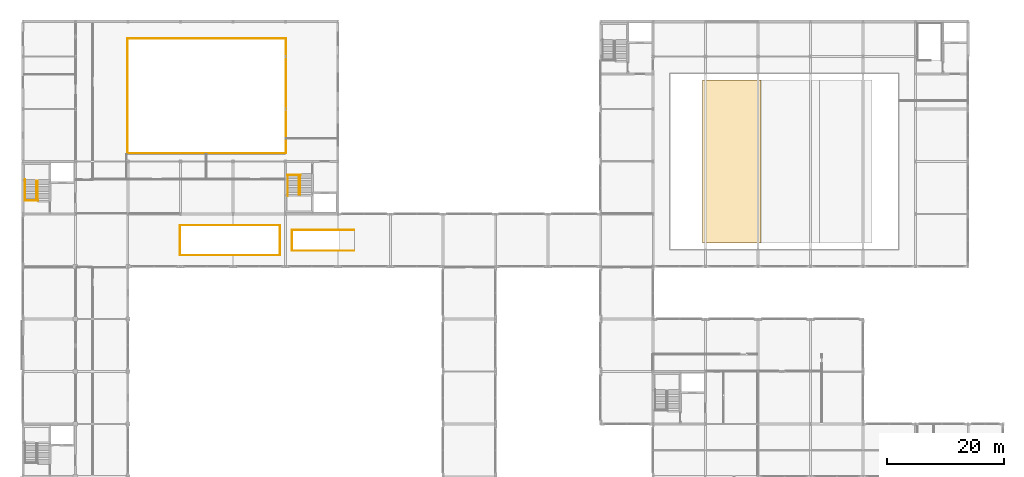
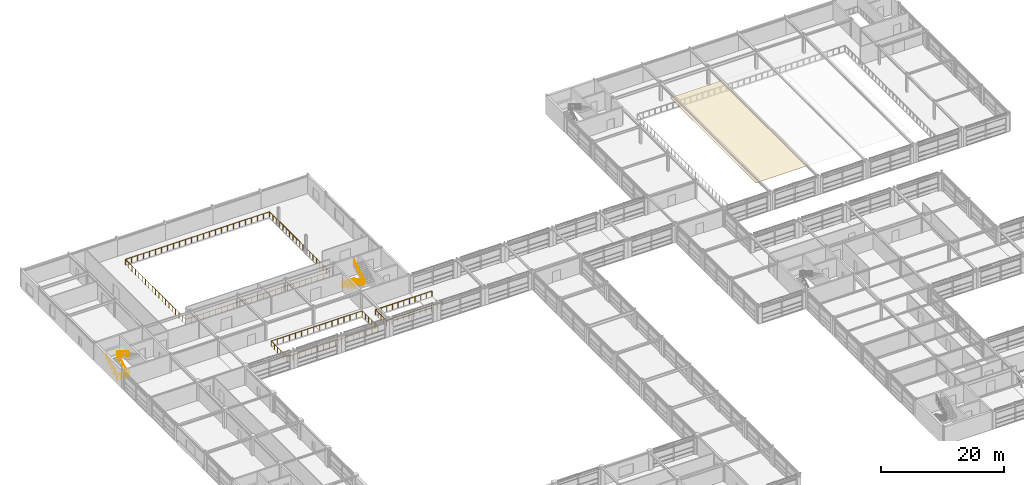
# One storey, part 78 of 79: 9 railings, 1 covering.
"""IFC4 building model written with IfcOpenShell, lengths in metres."""

import ifcopenshell
import ifcopenshell.guid

model = None  # the IFC model being written
_history = None  # IfcOwnerHistory: only IFC2X3 demands one
_inside = {}  # id of a spatial element -> (the spatial element, [elements in it])
_under = {}  # id of a project, library or spatial element -> (it, [spatial elements below it])
_declared = {}  # id of a project -> (the project, [libraries it declares])
_typed = {}  # id of a type object -> (the type object, [elements of that type])
_made_of = {}  # id of a material, layer set ... -> (it, [elements and type objects made of it])


def new_model(schema):
    """Start an empty IFC model of exactly this schema.

    Asked for "IFC4X3", IfcOpenShell would pick the latest addendum, in which some entities
    have other attributes; the version numbers below select the first issue.
    IFC2X3 requires an IfcOwnerHistory on every rooted entity: one is made here for all.
    """
    global model, _history
    if schema == "IFC4X3":
        model = ifcopenshell.file(schema_version=(4, 3, 0, 0))
    else:
        model = ifcopenshell.file(schema=schema)
    _inside.clear()
    _under.clear()
    _declared.clear()
    _typed.clear()
    _made_of.clear()
    _history = None
    if model.schema == "IFC2X3":
        org = make("IfcOrganization", Name="unknown")
        user = make(
            "IfcPersonAndOrganization",
            ThePerson=make("IfcPerson", FamilyName="unknown"),
            TheOrganization=org,
        )
        app = make(
            "IfcApplication",
            ApplicationDeveloper=org,
            Version="unknown",
            ApplicationFullName="unknown",
            ApplicationIdentifier="unknown",
        )
        _history = make(
            "IfcOwnerHistory",
            OwningUser=user,
            OwningApplication=app,
            ChangeAction="ADDED",
            CreationDate=0,
        )
    return model


def make(cls, **values):
    """One entity of the class cls with the attributes given. An attribute that is None is left unset."""
    return model.create_entity(
        cls, **{name: value for name, value in values.items() if value is not None}
    )


def rooted(cls, **values):
    """An entity with a GlobalId (a new one), such as an element, a storey or a relation."""
    return make(cls, GlobalId=ifcopenshell.guid.new(), OwnerHistory=_history, **values)


def si_unit(unit_type, name, prefix=None):
    """IfcSIUnit, for example si_unit("LENGTHUNIT", "METRE", prefix="MILLI")."""
    return make("IfcSIUnit", UnitType=unit_type, Prefix=prefix, Name=name)


def assignment(units):
    """IfcUnitAssignment: the units of a project."""
    return None if units is None else make("IfcUnitAssignment", Units=units)


def point(xyz):
    """IfcCartesianPoint."""
    return None if xyz is None else make("IfcCartesianPoint", Coordinates=xyz)


def direction(xyz):
    """IfcDirection."""
    return None if xyz is None else make("IfcDirection", DirectionRatios=xyz)


def frame(location, z_axis=None, x_axis=None):
    """IfcAxis2Placement3D, a coordinate frame: its origin and axes. An axis left out is left unset."""
    return make(
        "IfcAxis2Placement3D",
        Location=point(location),
        Axis=direction(z_axis),
        RefDirection=direction(x_axis),
    )


def frame_2d(location, x_axis=None):
    """IfcAxis2Placement2D, a coordinate frame in the plane: its origin and x axis."""
    return make(
        "IfcAxis2Placement2D", Location=point(location), RefDirection=direction(x_axis)
    )


def origin():
    """The frame at (0, 0, 0) with its axes left unset."""
    return frame((0.0, 0.0, 0.0))


def origin_2d():
    """The frame at (0, 0) in the plane with its x axis left unset."""
    return frame_2d((0.0, 0.0))


def place(relative_to, where):
    """IfcLocalPlacement: puts the frame where relative to a parent placement (None: the world)."""
    return make(
        "IfcLocalPlacement", PlacementRelTo=relative_to, RelativePlacement=where
    )


def context(
    kind, dimensions, precision=None, world=None, true_north=None, identifier=None
):
    """IfcGeometricRepresentationContext, for example the 3D "Model" context."""
    return make(
        "IfcGeometricRepresentationContext",
        ContextIdentifier=identifier,
        ContextType=kind,
        CoordinateSpaceDimension=dimensions,
        Precision=precision,
        WorldCoordinateSystem=world,
        TrueNorth=true_north,
    )


def subcontext(parent, identifier, kind, view, scale=None):
    """IfcGeometricRepresentationSubContext, for example "Body" below "Model"."""
    return make(
        "IfcGeometricRepresentationSubContext",
        ContextIdentifier=identifier,
        ContextType=kind,
        ParentContext=parent,
        TargetScale=scale,
        TargetView=view,
    )


def project(units=None, contexts=None):
    """IfcProject with its units and contexts."""
    return rooted(
        "IfcProject",
        Name="project",
        RepresentationContexts=contexts,
        UnitsInContext=assignment(units),
    )


def spatial(cls, under=None, at=None, **own):
    """A site, building, storey or space (cls), placed at a placement, below another one or the project."""
    s = rooted(cls, ObjectPlacement=at, **own)
    if under is not None:
        _under.setdefault(under.id(), (under, []))[1].append(s)
    return s


def polyline(points):
    """IfcPolyline through the points."""
    return make("IfcPolyline", Points=[point(p) for p in points])


def profile(cls, at=None, kind="AREA", **sizes):
    """A parametric profile (cls). Its sizes go by their IFC names, for example OverallWidth=200.0."""
    return make(cls, ProfileType=kind, Position=at, **sizes)


def circle(**sizes):
    """IfcCircleProfileDef."""
    return profile("IfcCircleProfileDef", **sizes)


def outline(outer, holes=None, kind="AREA"):
    """IfcArbitraryClosedProfileDef: a profile drawn as a closed curve; with holes, ...WithVoids."""
    if holes is None:
        return make("IfcArbitraryClosedProfileDef", ProfileType=kind, OuterCurve=outer)
    return make(
        "IfcArbitraryProfileDefWithVoids",
        ProfileType=kind,
        OuterCurve=outer,
        InnerCurves=holes,
    )


def extrude(swept, where, along, depth):
    """IfcExtrudedAreaSolid: the profile swept, set in the frame where, extruded along a direction by depth."""
    return make(
        "IfcExtrudedAreaSolid",
        SweptArea=swept,
        Position=where,
        ExtrudedDirection=direction(along),
        Depth=depth,
    )


def shape(context_of_items, identifier, shape_type, items):
    """IfcShapeRepresentation: the items that make up one representation, for example the "Body"."""
    return make(
        "IfcShapeRepresentation",
        ContextOfItems=context_of_items,
        RepresentationIdentifier=identifier,
        RepresentationType=shape_type,
        Items=items,
    )


def material(Name=None, Category=None):
    """IfcMaterial."""
    return make("IfcMaterial", Name=Name, Category=Category)


def layer(
    of_material, thickness, ventilated=None, Name=None, Category=None, Priority=None
):
    """IfcMaterialLayer: one layer of a wall or slab, of a material (None: an air gap)."""
    return make(
        "IfcMaterialLayer",
        Material=of_material,
        LayerThickness=thickness,
        IsVentilated=ventilated,
        Name=Name,
        Category=Category,
        Priority=Priority,
    )


def layer_set(layers, Name=None):
    """IfcMaterialLayerSet."""
    return make("IfcMaterialLayerSet", MaterialLayers=layers, LayerSetName=Name)


def made_of(thing, what):
    """Note that an element or type object is made of a material, layer set ...; save() writes the relation."""
    if what is not None:
        _made_of.setdefault(what.id(), (what, []))[1].append(thing)
    return thing


def type_object(cls, material=None, **own):
    """A type object (cls), such as IfcWallType, which elements share."""
    return made_of(rooted(cls, **own), material)


def element(
    cls,
    number,
    at=None,
    inside=None,
    cuts=None,
    type_object=None,
    material=None,
    context=None,
    identifier="Body",
    shape_type=None,
    held_by="IfcProductDefinitionShape",
    body=None,
    shapes=None,
    **own,
):
    """One element of the class cls, such as IfcWall. Its Tag is "e" and its number.

    at: its placement. inside: the storey or other place that contains it. cuts: it is an
    opening in that element (IfcRelVoidsElement). A single representation is given by context,
    identifier, shape_type and body (its items); several are given by shapes. held_by: the class
    of the entity that holds the representations. save() writes the other relations.
    """
    e = rooted(cls, Tag="e%d" % number, ObjectPlacement=at, **own)
    if body is not None:
        shapes = [shape(context, identifier, shape_type, body)]
    if shapes is not None:
        e.Representation = make(held_by, Representations=shapes)
    if inside is not None:
        _inside.setdefault(inside.id(), (inside, []))[1].append(e)
    if cuts is not None:
        rooted(
            "IfcRelVoidsElement", RelatingBuildingElement=cuts, RelatedOpeningElement=e
        )
    if type_object is not None:
        _typed.setdefault(type_object.id(), (type_object, []))[1].append(e)
    return made_of(e, material)


def aggregate(whole, parts):
    """IfcRelAggregates: a whole, such as a stair, and the parts it consists of."""
    return rooted("IfcRelAggregates", RelatingObject=whole, RelatedObjects=parts)


def save(model, path):
    """Write the relations noted so far, then the file.

    IfcRelAggregates (storeys below a building ...), IfcRelContainedInSpatialStructure (elements
    in a storey), IfcRelDefinesByType, IfcRelAssociatesMaterial and IfcRelDeclares: one each for
    every whole, place, type object, material and project.
    """
    for whole, parts in _under.values():
        aggregate(whole, parts)
    for where, things in _inside.values():
        rooted(
            "IfcRelContainedInSpatialStructure",
            RelatedElements=things,
            RelatingStructure=where,
        )
    for kind, things in _typed.values():
        rooted("IfcRelDefinesByType", RelatedObjects=things, RelatingType=kind)
    for what, things in _made_of.values():
        rooted("IfcRelAssociatesMaterial", RelatedObjects=things, RelatingMaterial=what)
    for by, libraries in _declared.values():
        rooted("IfcRelDeclares", RelatingContext=by, RelatedDefinitions=libraries)
    model.write(path)


model = new_model("IFC4")

# Units and contexts
model_context = context("Model", 3, precision=1e-05, world=origin(), true_north=direction((0.0, 1.0)))
body_context = subcontext(model_context, "Body", "Model", "MODEL_VIEW")
ifc_project = project(units=[si_unit("LENGTHUNIT", "METRE"), si_unit("AREAUNIT", "SQUARE_METRE"), si_unit("VOLUMEUNIT", "CUBIC_METRE"), si_unit("PLANEANGLEUNIT", "RADIAN"), si_unit("MASSUNIT", "GRAM", prefix="KILO")], contexts=[model_context])

# Site, building, storey
site_placement = place(None, origin())
site = spatial("IfcSite", under=ifc_project, at=site_placement, CompositionType="ELEMENT")
building_placement = place(site_placement, origin())
building = spatial("IfcBuilding", under=site, at=building_placement, Name="Palais des Congres Ocreval", CompositionType="ELEMENT")
storey_placement = place(building_placement, frame((0.0, 0.0, 4.320068359375)))
storey = spatial("IfcBuildingStorey", under=building, at=storey_placement, Name="L01", CompositionType="ELEMENT", Elevation=4.320068359375)

# Covering
ifc_material_1 = material(Name="Solid French oak acoustic ceiling", Category="wood")
ifc_layer = layer(ifc_material_1, 0.0400390625)
ifc_layer_set = layer_set([ifc_layer], Name="Acoustic Perforated Timber Ceiling 40 (Solid French oak acoustic ceiling)")
covering_type = type_object("IfcCoveringType", Name="Acoustic Perforated Timber Ceiling 40", PredefinedType="CEILING", material=ifc_layer_set)
covering_placement = place(storey_placement, frame((0.0, 0.0, 3.054931640625)))
element("IfcCovering", 1, at=covering_placement, inside=storey, type_object=covering_type, Name="Grand Ballroom Salon A Acoustic Ceiling", PredefinedType="CEILING", context=body_context, shape_type="SweptSolid", body=[
    extrude(outline(polyline([(116.5, 76.0), (126.5, 76.0), (126.5, 104.0), (116.5, 104.0), (116.5, 76.0)])), origin(), (0.0, 0.0, 1.0), 0.0400390625),
])

# Railings
ifc_material_2 = material(Name="Anodized bronze aluminium", Category="aluminium")
railing_type_1 = type_object("IfcRailingType", Name="Bronze Stair and Ramp Handrail 900", PredefinedType="HANDRAIL", material=ifc_material_2)
railing_1_placement = place(storey_placement, frame((0.3798828125, 83.35009765625, 0.159912109375)))
element("IfcRailing", 2, at=railing_1_placement, inside=storey, type_object=railing_type_1, Name="Stair Wall Handrail ST05 L01", PredefinedType="HANDRAIL", context=body_context, shape_type="SweptSolid", body=[
    extrude(circle(Radius=0.02392578125, at=origin_2d()), frame((0.0, 0.0, 0.8759765625), z_axis=(0.0, 0.882352941176, 0.470588235294), x_axis=(-1.0, 0.0, 0.0)), (0.0, 0.0, 1.0), 4.079833984375),
    extrude(circle(Radius=0.02099609375, at=origin_2d()), origin(), (0.0, 0.0, 1.0), 0.851806640625),
    extrude(circle(Radius=0.02099609375, at=origin_2d()), frame((0.0, 0.89990234375, 0.47998046875)), (0.0, 0.0, 1.0), 0.851806640625),
    extrude(circle(Radius=0.02099609375, at=origin_2d()), frame((0.0, 1.7998046875, 0.9599609375)), (0.0, 0.0, 1.0), 0.851806640625),
    extrude(circle(Radius=0.02099609375, at=origin_2d()), frame((0.0, 2.699951171875, 1.43994140625)), (0.0, 0.0, 1.0), 0.851806640625),
    extrude(circle(Radius=0.02099609375, at=origin_2d()), frame((0.0, 3.599853515625, 1.919921875)), (0.0, 0.0, 1.0), 0.851806640625),
])
railing_2_placement = place(storey_placement, frame((45.3798828125, 87.64990234375, 0.159912109375)))
element("IfcRailing", 3, at=railing_2_placement, inside=storey, type_object=railing_type_1, Name="Stair Wall Handrail ST06 L01", PredefinedType="HANDRAIL", context=body_context, shape_type="SweptSolid", body=[
    extrude(circle(Radius=0.02392578125, at=origin_2d()), frame((0.0, 0.0, 0.8759765625), z_axis=(0.0, -0.882352941176, 0.470588235294), x_axis=(1.0, 0.0, 0.0)), (0.0, 0.0, 1.0), 4.079833984375),
    extrude(circle(Radius=0.02099609375, at=origin_2d()), origin(), (0.0, 0.0, 1.0), 0.851806640625),
    extrude(circle(Radius=0.02099609375, at=origin_2d()), frame((0.0, -0.89990234375, 0.47998046875)), (0.0, 0.0, 1.0), 0.851806640625),
    extrude(circle(Radius=0.02099609375, at=origin_2d()), frame((0.0, -1.7998046875, 0.9599609375)), (0.0, 0.0, 1.0), 0.851806640625),
    extrude(circle(Radius=0.02099609375, at=origin_2d()), frame((0.0, -2.699951171875, 1.43994140625)), (0.0, 0.0, 1.0), 0.851806640625),
    extrude(circle(Radius=0.02099609375, at=origin_2d()), frame((0.0, -3.599853515625, 1.919921875)), (0.0, 0.0, 1.0), 0.851806640625),
])
ifc_material_3 = material(Name="Steel S355", Category="steel")
railing_type_2 = type_object("IfcRailingType", Name="Stairwell Steel Guardrail 1100", PredefinedType="GUARDRAIL", material=ifc_material_3)
railing_3_placement = place(storey_placement, frame((0.320068359375, 83.300048828125, 0.0)))
element("IfcRailing", 4, at=railing_3_placement, inside=storey, type_object=railing_type_2, Name="Stairwell Landing Edge Guard ST05 L01", PredefinedType="GUARDRAIL", context=body_context, shape_type="SweptSolid", body=[
    extrude(circle(Radius=0.02392578125, at=origin_2d()), frame((0.0, 0.0, 1.076171875), z_axis=(1.0, 0.0, 0.0), x_axis=(0.0, 1.0, 0.0)), (0.0, 0.0, 1.0), 2.25),
    extrude(circle(Radius=0.02099609375, at=origin_2d()), origin(), (0.0, 0.0, 1.0), 1.052001953125),
    extrude(circle(Radius=0.02099609375, at=origin_2d()), frame((0.75, 0.0, 0.0)), (0.0, 0.0, 1.0), 1.052001953125),
    extrude(circle(Radius=0.02099609375, at=origin_2d()), frame((1.5, 0.0, 0.0)), (0.0, 0.0, 1.0), 1.052001953125),
    extrude(circle(Radius=0.02099609375, at=origin_2d()), frame((2.25, 0.0, 0.0)), (0.0, 0.0, 1.0), 1.052001953125),
])
railing_4_placement = place(storey_placement, frame((2.280029296875, 83.35009765625, 0.0)))
element("IfcRailing", 5, at=railing_4_placement, inside=storey, type_object=railing_type_2, Name="Stair Inner Guardrail ST05 L01", PredefinedType="GUARDRAIL", context=body_context, shape_type="SweptSolid", body=[
    extrude(circle(Radius=0.02392578125, at=origin_2d()), frame((0.0, 0.0, 1.076171875), z_axis=(0.0, 0.86434429443, 0.502900527626), x_axis=(-1.0, 0.0, 0.0)), (0.0, 0.0, 1.0), 3.817626953125),
    extrude(circle(Radius=0.02392578125, at=origin_2d()), frame((0.0, 3.2998046875, 2.99609375), z_axis=(1.0, 0.0, 0.0), x_axis=(0.0, 1.0, 0.0)), (0.0, 0.0, 1.0), 0.239990234375),
    extrude(circle(Radius=0.02392578125, at=origin_2d()), frame((0.239990234375, 3.2998046875, 2.99609375), z_axis=(0.0, -0.86434429443, 0.502900527626), x_axis=(1.0, 0.0, 0.0)), (0.0, 0.0, 1.0), 3.817626953125),
    extrude(circle(Radius=0.02099609375, at=origin_2d()), origin(), (0.0, 0.0, 1.0), 1.052001953125),
    extrude(circle(Radius=0.02099609375, at=origin_2d()), frame((0.0, 0.824951171875, 0.47998046875)), (0.0, 0.0, 1.0), 1.052001953125),
    extrude(circle(Radius=0.02099609375, at=origin_2d()), frame((0.0, 1.64990234375, 0.9599609375)), (0.0, 0.0, 1.0), 1.052001953125),
    extrude(circle(Radius=0.02099609375, at=origin_2d()), frame((0.0, 2.474853515625, 1.43994140625)), (0.0, 0.0, 1.0), 1.052001953125),
    extrude(circle(Radius=0.02099609375, at=origin_2d()), frame((0.0, 3.2998046875, 1.919921875)), (0.0, 0.0, 1.0), 1.052001953125),
    extrude(circle(Radius=0.02099609375, at=origin_2d()), frame((0.239990234375, 3.2998046875, 1.919921875)), (0.0, 0.0, 1.0), 1.052001953125),
    extrude(circle(Radius=0.02099609375, at=origin_2d()), frame((0.239990234375, 2.474853515625, 2.39990234375)), (0.0, 0.0, 1.0), 1.052001953125),
    extrude(circle(Radius=0.02099609375, at=origin_2d()), frame((0.239990234375, 1.64990234375, 2.8798828125)), (0.0, 0.0, 1.0), 1.052001953125),
    extrude(circle(Radius=0.02099609375, at=origin_2d()), frame((0.239990234375, 0.824951171875, 3.35986328125)), (0.0, 0.0, 1.0), 1.052001953125),
    extrude(circle(Radius=0.02099609375, at=origin_2d()), frame((0.239990234375, 0.0, 3.83984375)), (0.0, 0.0, 1.0), 1.052001953125),
])
railing_5_placement = place(storey_placement, frame((45.320068359375, 87.699951171875, 0.0)))
element("IfcRailing", 6, at=railing_5_placement, inside=storey, type_object=railing_type_2, Name="Stairwell Landing Edge Guard ST06 L01", PredefinedType="GUARDRAIL", context=body_context, shape_type="SweptSolid", body=[
    extrude(circle(Radius=0.02392578125, at=origin_2d()), frame((0.0, 0.0, 1.076171875), z_axis=(1.0, 0.0, 0.0), x_axis=(0.0, 1.0, 0.0)), (0.0, 0.0, 1.0), 2.25),
    extrude(circle(Radius=0.02099609375, at=origin_2d()), origin(), (0.0, 0.0, 1.0), 1.052001953125),
    extrude(circle(Radius=0.02099609375, at=origin_2d()), frame((0.75, 0.0, 0.0)), (0.0, 0.0, 1.0), 1.052001953125),
    extrude(circle(Radius=0.02099609375, at=origin_2d()), frame((1.5, 0.0, 0.0)), (0.0, 0.0, 1.0), 1.052001953125),
    extrude(circle(Radius=0.02099609375, at=origin_2d()), frame((2.25, 0.0, 0.0)), (0.0, 0.0, 1.0), 1.052001953125),
])
railing_6_placement = place(storey_placement, frame((47.280029296875, 87.64990234375, 0.0)))
element("IfcRailing", 7, at=railing_6_placement, inside=storey, type_object=railing_type_2, Name="Stair Inner Guardrail ST06 L01", PredefinedType="GUARDRAIL", context=body_context, shape_type="SweptSolid", body=[
    extrude(circle(Radius=0.02392578125, at=origin_2d()), frame((0.0, 0.0, 1.076171875), z_axis=(0.0, -0.86434429443, 0.502900527626), x_axis=(1.0, 0.0, 0.0)), (0.0, 0.0, 1.0), 3.817626953125),
    extrude(circle(Radius=0.02392578125, at=origin_2d()), frame((0.0, -3.2998046875, 2.99609375), z_axis=(1.0, 0.0, 0.0), x_axis=(0.0, 1.0, 0.0)), (0.0, 0.0, 1.0), 0.239990234375),
    extrude(circle(Radius=0.02392578125, at=origin_2d()), frame((0.239990234375, -3.2998046875, 2.99609375), z_axis=(0.0, 0.86434429443, 0.502900527626), x_axis=(-1.0, 0.0, 0.0)), (0.0, 0.0, 1.0), 3.817626953125),
    extrude(circle(Radius=0.02099609375, at=origin_2d()), origin(), (0.0, 0.0, 1.0), 1.052001953125),
    extrude(circle(Radius=0.02099609375, at=origin_2d()), frame((0.0, -0.824951171875, 0.47998046875)), (0.0, 0.0, 1.0), 1.052001953125),
    extrude(circle(Radius=0.02099609375, at=origin_2d()), frame((0.0, -1.64990234375, 0.9599609375)), (0.0, 0.0, 1.0), 1.052001953125),
    extrude(circle(Radius=0.02099609375, at=origin_2d()), frame((0.0, -2.474853515625, 1.43994140625)), (0.0, 0.0, 1.0), 1.052001953125),
    extrude(circle(Radius=0.02099609375, at=origin_2d()), frame((0.0, -3.2998046875, 1.919921875)), (0.0, 0.0, 1.0), 1.052001953125),
    extrude(circle(Radius=0.02099609375, at=origin_2d()), frame((0.239990234375, -3.2998046875, 1.919921875)), (0.0, 0.0, 1.0), 1.052001953125),
    extrude(circle(Radius=0.02099609375, at=origin_2d()), frame((0.239990234375, -2.474853515625, 2.39990234375)), (0.0, 0.0, 1.0), 1.052001953125),
    extrude(circle(Radius=0.02099609375, at=origin_2d()), frame((0.239990234375, -1.64990234375, 2.8798828125)), (0.0, 0.0, 1.0), 1.052001953125),
    extrude(circle(Radius=0.02099609375, at=origin_2d()), frame((0.239990234375, -0.824951171875, 3.35986328125)), (0.0, 0.0, 1.0), 1.052001953125),
    extrude(circle(Radius=0.02099609375, at=origin_2d()), frame((0.239990234375, 0.0, 3.83984375)), (0.0, 0.0, 1.0), 1.052001953125),
])
railing_type_3 = type_object("IfcRailingType", Name="Terrace Bronze Balustrade 1100", PredefinedType="BALUSTRADE", material=ifc_material_2)
railing_7_placement = place(storey_placement, frame((56.75, 74.719970703125, 0.0)))
element("IfcRailing", 8, at=railing_7_placement, inside=storey, type_object=railing_type_3, Name="Feature Stair Well Balustrade ST11", PredefinedType="BALUSTRADE", context=body_context, shape_type="SweptSolid", body=[
    extrude(circle(Radius=0.02392578125, at=origin_2d()), frame((0.0, 0.0, 1.076171875), z_axis=(-1.0, 0.0, 0.0), x_axis=(0.0, -1.0, 0.0)), (0.0, 0.0, 1.0), 10.6298828125),
    extrude(circle(Radius=0.02392578125, at=origin_2d()), frame((-10.6298828125, 0.0, 1.076171875), z_axis=(0.0, 1.0, 0.0), x_axis=(-1.0, 0.0, 0.0)), (0.0, 0.0, 1.0), 3.56005859375),
    extrude(circle(Radius=0.02392578125, at=origin_2d()), frame((-10.6298828125, 3.56005859375, 1.076171875), z_axis=(1.0, 0.0, 0.0), x_axis=(0.0, 1.0, 0.0)), (0.0, 0.0, 1.0), 10.6298828125),
    extrude(circle(Radius=0.02099609375, at=origin_2d()), origin(), (0.0, 0.0, 1.0), 1.052001953125),
    extrude(circle(Radius=0.02099609375, at=origin_2d()), frame((-1.06298828125, 0.0, 0.0)), (0.0, 0.0, 1.0), 1.052001953125),
    extrude(circle(Radius=0.02099609375, at=origin_2d()), frame((-2.1259765625, 0.0, 0.0)), (0.0, 0.0, 1.0), 1.052001953125),
    extrude(circle(Radius=0.02099609375, at=origin_2d()), frame((-3.18896484375, 0.0, 0.0)), (0.0, 0.0, 1.0), 1.052001953125),
    extrude(circle(Radius=0.02099609375, at=origin_2d()), frame((-4.251953125, 0.0, 0.0)), (0.0, 0.0, 1.0), 1.052001953125),
    extrude(circle(Radius=0.02099609375, at=origin_2d()), frame((-5.31494140625, 0.0, 0.0)), (0.0, 0.0, 1.0), 1.052001953125),
    extrude(circle(Radius=0.02099609375, at=origin_2d()), frame((-6.3779296875, 0.0, 0.0)), (0.0, 0.0, 1.0), 1.052001953125),
    extrude(circle(Radius=0.02099609375, at=origin_2d()), frame((-7.44091796875, 0.0, 0.0)), (0.0, 0.0, 1.0), 1.052001953125),
    extrude(circle(Radius=0.02099609375, at=origin_2d()), frame((-8.50390625, 0.0, 0.0)), (0.0, 0.0, 1.0), 1.052001953125),
    extrude(circle(Radius=0.02099609375, at=origin_2d()), frame((-9.56689453125, 0.0, 0.0)), (0.0, 0.0, 1.0), 1.052001953125),
    extrude(circle(Radius=0.02099609375, at=origin_2d()), frame((-10.6298828125, 0.0, 0.0)), (0.0, 0.0, 1.0), 1.052001953125),
    extrude(circle(Radius=0.02099609375, at=origin_2d()), frame((-10.6298828125, 0.89013671875, 0.0)), (0.0, 0.0, 1.0), 1.052001953125),
    extrude(circle(Radius=0.02099609375, at=origin_2d()), frame((-10.6298828125, 1.780029296875, 0.0)), (0.0, 0.0, 1.0), 1.052001953125),
    extrude(circle(Radius=0.02099609375, at=origin_2d()), frame((-10.6298828125, 2.669921875, 0.0)), (0.0, 0.0, 1.0), 1.052001953125),
    extrude(circle(Radius=0.02099609375, at=origin_2d()), frame((-10.6298828125, 3.56005859375, 0.0)), (0.0, 0.0, 1.0), 1.052001953125),
    extrude(circle(Radius=0.02099609375, at=origin_2d()), frame((-9.56689453125, 3.56005859375, 0.0)), (0.0, 0.0, 1.0), 1.052001953125),
    extrude(circle(Radius=0.02099609375, at=origin_2d()), frame((-8.50390625, 3.56005859375, 0.0)), (0.0, 0.0, 1.0), 1.052001953125),
    extrude(circle(Radius=0.02099609375, at=origin_2d()), frame((-7.44091796875, 3.56005859375, 0.0)), (0.0, 0.0, 1.0), 1.052001953125),
    extrude(circle(Radius=0.02099609375, at=origin_2d()), frame((-6.3779296875, 3.56005859375, 0.0)), (0.0, 0.0, 1.0), 1.052001953125),
    extrude(circle(Radius=0.02099609375, at=origin_2d()), frame((-5.31494140625, 3.56005859375, 0.0)), (0.0, 0.0, 1.0), 1.052001953125),
    extrude(circle(Radius=0.02099609375, at=origin_2d()), frame((-4.251953125, 3.56005859375, 0.0)), (0.0, 0.0, 1.0), 1.052001953125),
    extrude(circle(Radius=0.02099609375, at=origin_2d()), frame((-3.18896484375, 3.56005859375, 0.0)), (0.0, 0.0, 1.0), 1.052001953125),
    extrude(circle(Radius=0.02099609375, at=origin_2d()), frame((-2.1259765625, 3.56005859375, 0.0)), (0.0, 0.0, 1.0), 1.052001953125),
    extrude(circle(Radius=0.02099609375, at=origin_2d()), frame((-1.06298828125, 3.56005859375, 0.0)), (0.0, 0.0, 1.0), 1.052001953125),
    extrude(circle(Radius=0.02099609375, at=origin_2d()), frame((0.0, 3.56005859375, 0.0)), (0.0, 0.0, 1.0), 1.052001953125),
])
railing_8_placement = place(storey_placement, frame((17.919921875, 91.419921875, 0.0)))
element("IfcRailing", 9, at=railing_8_placement, inside=storey, type_object=railing_type_3, Name="Atrium Void Guard Balustrade VOID-L01-CONGRESS", PredefinedType="BALUSTRADE", context=body_context, shape_type="SweptSolid", body=[
    extrude(circle(Radius=0.02392578125, at=origin_2d()), frame((0.0, 0.0, 1.076171875), z_axis=(1.0, 0.0, 0.0), x_axis=(0.0, 1.0, 0.0)), (0.0, 0.0, 1.0), 27.16015625),
    extrude(circle(Radius=0.02392578125, at=origin_2d()), frame((27.16015625, 0.0, 1.076171875), z_axis=(0.0, 1.0, 0.0), x_axis=(-1.0, 0.0, 0.0)), (0.0, 0.0, 1.0), 19.66015625),
    extrude(circle(Radius=0.02392578125, at=origin_2d()), frame((27.16015625, 19.66015625, 1.076171875), z_axis=(-1.0, 0.0, 0.0), x_axis=(0.0, -1.0, 0.0)), (0.0, 0.0, 1.0), 27.16015625),
    extrude(circle(Radius=0.02392578125, at=origin_2d()), frame((0.0, 19.66015625, 1.076171875), z_axis=(0.0, -1.0, 0.0), x_axis=(1.0, 0.0, 0.0)), (0.0, 0.0, 1.0), 19.66015625),
    extrude(circle(Radius=0.02099609375, at=origin_2d()), origin(), (0.0, 0.0, 1.0), 1.052001953125),
    extrude(circle(Radius=0.02099609375, at=origin_2d()), frame((1.131591796875, 0.0, 0.0)), (0.0, 0.0, 1.0), 1.052001953125),
    extrude(circle(Radius=0.02099609375, at=origin_2d()), frame((2.263427734375, 0.0, 0.0)), (0.0, 0.0, 1.0), 1.052001953125),
    extrude(circle(Radius=0.02099609375, at=origin_2d()), frame((3.39501953125, 0.0, 0.0)), (0.0, 0.0, 1.0), 1.052001953125),
    extrude(circle(Radius=0.02099609375, at=origin_2d()), frame((4.526611328125, 0.0, 0.0)), (0.0, 0.0, 1.0), 1.052001953125),
    extrude(circle(Radius=0.02099609375, at=origin_2d()), frame((5.658447265625, 0.0, 0.0)), (0.0, 0.0, 1.0), 1.052001953125),
    extrude(circle(Radius=0.02099609375, at=origin_2d()), frame((6.7900390625, 0.0, 0.0)), (0.0, 0.0, 1.0), 1.052001953125),
    extrude(circle(Radius=0.02099609375, at=origin_2d()), frame((7.921630859375, 0.0, 0.0)), (0.0, 0.0, 1.0), 1.052001953125),
    extrude(circle(Radius=0.02099609375, at=origin_2d()), frame((9.053466796875, 0.0, 0.0)), (0.0, 0.0, 1.0), 1.052001953125),
    extrude(circle(Radius=0.02099609375, at=origin_2d()), frame((10.18505859375, 0.0, 0.0)), (0.0, 0.0, 1.0), 1.052001953125),
    extrude(circle(Radius=0.02099609375, at=origin_2d()), frame((11.316650390625, 0.0, 0.0)), (0.0, 0.0, 1.0), 1.052001953125),
    extrude(circle(Radius=0.02099609375, at=origin_2d()), frame((12.448486328125, 0.0, 0.0)), (0.0, 0.0, 1.0), 1.052001953125),
    extrude(circle(Radius=0.02099609375, at=origin_2d()), frame((13.580078125, 0.0, 0.0)), (0.0, 0.0, 1.0), 1.052001953125),
    extrude(circle(Radius=0.02099609375, at=origin_2d()), frame((14.711669921875, 0.0, 0.0)), (0.0, 0.0, 1.0), 1.052001953125),
    extrude(circle(Radius=0.02099609375, at=origin_2d()), frame((15.843505859375, 0.0, 0.0)), (0.0, 0.0, 1.0), 1.052001953125),
    extrude(circle(Radius=0.02099609375, at=origin_2d()), frame((16.97509765625, 0.0, 0.0)), (0.0, 0.0, 1.0), 1.052001953125),
    extrude(circle(Radius=0.02099609375, at=origin_2d()), frame((18.106689453125, 0.0, 0.0)), (0.0, 0.0, 1.0), 1.052001953125),
    extrude(circle(Radius=0.02099609375, at=origin_2d()), frame((19.238525390625, 0.0, 0.0)), (0.0, 0.0, 1.0), 1.052001953125),
    extrude(circle(Radius=0.02099609375, at=origin_2d()), frame((20.3701171875, 0.0, 0.0)), (0.0, 0.0, 1.0), 1.052001953125),
    extrude(circle(Radius=0.02099609375, at=origin_2d()), frame((21.501708984375, 0.0, 0.0)), (0.0, 0.0, 1.0), 1.052001953125),
    extrude(circle(Radius=0.02099609375, at=origin_2d()), frame((22.633544921875, 0.0, 0.0)), (0.0, 0.0, 1.0), 1.052001953125),
    extrude(circle(Radius=0.02099609375, at=origin_2d()), frame((23.76513671875, 0.0, 0.0)), (0.0, 0.0, 1.0), 1.052001953125),
    extrude(circle(Radius=0.02099609375, at=origin_2d()), frame((24.896728515625, 0.0, 0.0)), (0.0, 0.0, 1.0), 1.052001953125),
    extrude(circle(Radius=0.02099609375, at=origin_2d()), frame((26.028564453125, 0.0, 0.0)), (0.0, 0.0, 1.0), 1.052001953125),
    extrude(circle(Radius=0.02099609375, at=origin_2d()), frame((27.16015625, 0.0, 0.0)), (0.0, 0.0, 1.0), 1.052001953125),
    extrude(circle(Radius=0.02099609375, at=origin_2d()), frame((27.16015625, 1.09228515625, 0.0)), (0.0, 0.0, 1.0), 1.052001953125),
    extrude(circle(Radius=0.02099609375, at=origin_2d()), frame((27.16015625, 2.1845703125, 0.0)), (0.0, 0.0, 1.0), 1.052001953125),
    extrude(circle(Radius=0.02099609375, at=origin_2d()), frame((27.16015625, 3.276611328125, 0.0)), (0.0, 0.0, 1.0), 1.052001953125),
    extrude(circle(Radius=0.02099609375, at=origin_2d()), frame((27.16015625, 4.368896484375, 0.0)), (0.0, 0.0, 1.0), 1.052001953125),
    extrude(circle(Radius=0.02099609375, at=origin_2d()), frame((27.16015625, 5.461181640625, 0.0)), (0.0, 0.0, 1.0), 1.052001953125),
    extrude(circle(Radius=0.02099609375, at=origin_2d()), frame((27.16015625, 6.553466796875, 0.0)), (0.0, 0.0, 1.0), 1.052001953125),
    extrude(circle(Radius=0.02099609375, at=origin_2d()), frame((27.16015625, 7.6455078125, 0.0)), (0.0, 0.0, 1.0), 1.052001953125),
    extrude(circle(Radius=0.02099609375, at=origin_2d()), frame((27.16015625, 8.73779296875, 0.0)), (0.0, 0.0, 1.0), 1.052001953125),
    extrude(circle(Radius=0.02099609375, at=origin_2d()), frame((27.16015625, 9.830078125, 0.0)), (0.0, 0.0, 1.0), 1.052001953125),
    extrude(circle(Radius=0.02099609375, at=origin_2d()), frame((27.16015625, 10.92236328125, 0.0)), (0.0, 0.0, 1.0), 1.052001953125),
    extrude(circle(Radius=0.02099609375, at=origin_2d()), frame((27.16015625, 12.0146484375, 0.0)), (0.0, 0.0, 1.0), 1.052001953125),
    extrude(circle(Radius=0.02099609375, at=origin_2d()), frame((27.16015625, 13.106689453125, 0.0)), (0.0, 0.0, 1.0), 1.052001953125),
    extrude(circle(Radius=0.02099609375, at=origin_2d()), frame((27.16015625, 14.198974609375, 0.0)), (0.0, 0.0, 1.0), 1.052001953125),
    extrude(circle(Radius=0.02099609375, at=origin_2d()), frame((27.16015625, 15.291259765625, 0.0)), (0.0, 0.0, 1.0), 1.052001953125),
    extrude(circle(Radius=0.02099609375, at=origin_2d()), frame((27.16015625, 16.383544921875, 0.0)), (0.0, 0.0, 1.0), 1.052001953125),
    extrude(circle(Radius=0.02099609375, at=origin_2d()), frame((27.16015625, 17.4755859375, 0.0)), (0.0, 0.0, 1.0), 1.052001953125),
    extrude(circle(Radius=0.02099609375, at=origin_2d()), frame((27.16015625, 18.56787109375, 0.0)), (0.0, 0.0, 1.0), 1.052001953125),
    extrude(circle(Radius=0.02099609375, at=origin_2d()), frame((27.16015625, 19.66015625, 0.0)), (0.0, 0.0, 1.0), 1.052001953125),
    extrude(circle(Radius=0.02099609375, at=origin_2d()), frame((26.028564453125, 19.66015625, 0.0)), (0.0, 0.0, 1.0), 1.052001953125),
    extrude(circle(Radius=0.02099609375, at=origin_2d()), frame((24.896728515625, 19.66015625, 0.0)), (0.0, 0.0, 1.0), 1.052001953125),
    extrude(circle(Radius=0.02099609375, at=origin_2d()), frame((23.76513671875, 19.66015625, 0.0)), (0.0, 0.0, 1.0), 1.052001953125),
    extrude(circle(Radius=0.02099609375, at=origin_2d()), frame((22.633544921875, 19.66015625, 0.0)), (0.0, 0.0, 1.0), 1.052001953125),
    extrude(circle(Radius=0.02099609375, at=origin_2d()), frame((21.501708984375, 19.66015625, 0.0)), (0.0, 0.0, 1.0), 1.052001953125),
    extrude(circle(Radius=0.02099609375, at=origin_2d()), frame((20.3701171875, 19.66015625, 0.0)), (0.0, 0.0, 1.0), 1.052001953125),
    extrude(circle(Radius=0.02099609375, at=origin_2d()), frame((19.238525390625, 19.66015625, 0.0)), (0.0, 0.0, 1.0), 1.052001953125),
    extrude(circle(Radius=0.02099609375, at=origin_2d()), frame((18.106689453125, 19.66015625, 0.0)), (0.0, 0.0, 1.0), 1.052001953125),
    extrude(circle(Radius=0.02099609375, at=origin_2d()), frame((16.97509765625, 19.66015625, 0.0)), (0.0, 0.0, 1.0), 1.052001953125),
    extrude(circle(Radius=0.02099609375, at=origin_2d()), frame((15.843505859375, 19.66015625, 0.0)), (0.0, 0.0, 1.0), 1.052001953125),
    extrude(circle(Radius=0.02099609375, at=origin_2d()), frame((14.711669921875, 19.66015625, 0.0)), (0.0, 0.0, 1.0), 1.052001953125),
    extrude(circle(Radius=0.02099609375, at=origin_2d()), frame((13.580078125, 19.66015625, 0.0)), (0.0, 0.0, 1.0), 1.052001953125),
    extrude(circle(Radius=0.02099609375, at=origin_2d()), frame((12.448486328125, 19.66015625, 0.0)), (0.0, 0.0, 1.0), 1.052001953125),
    extrude(circle(Radius=0.02099609375, at=origin_2d()), frame((11.316650390625, 19.66015625, 0.0)), (0.0, 0.0, 1.0), 1.052001953125),
    extrude(circle(Radius=0.02099609375, at=origin_2d()), frame((10.18505859375, 19.66015625, 0.0)), (0.0, 0.0, 1.0), 1.052001953125),
    extrude(circle(Radius=0.02099609375, at=origin_2d()), frame((9.053466796875, 19.66015625, 0.0)), (0.0, 0.0, 1.0), 1.052001953125),
    extrude(circle(Radius=0.02099609375, at=origin_2d()), frame((7.921630859375, 19.66015625, 0.0)), (0.0, 0.0, 1.0), 1.052001953125),
    extrude(circle(Radius=0.02099609375, at=origin_2d()), frame((6.7900390625, 19.66015625, 0.0)), (0.0, 0.0, 1.0), 1.052001953125),
    extrude(circle(Radius=0.02099609375, at=origin_2d()), frame((5.658447265625, 19.66015625, 0.0)), (0.0, 0.0, 1.0), 1.052001953125),
    extrude(circle(Radius=0.02099609375, at=origin_2d()), frame((4.526611328125, 19.66015625, 0.0)), (0.0, 0.0, 1.0), 1.052001953125),
    extrude(circle(Radius=0.02099609375, at=origin_2d()), frame((3.39501953125, 19.66015625, 0.0)), (0.0, 0.0, 1.0), 1.052001953125),
    extrude(circle(Radius=0.02099609375, at=origin_2d()), frame((2.263427734375, 19.66015625, 0.0)), (0.0, 0.0, 1.0), 1.052001953125),
    extrude(circle(Radius=0.02099609375, at=origin_2d()), frame((1.131591796875, 19.66015625, 0.0)), (0.0, 0.0, 1.0), 1.052001953125),
    extrude(circle(Radius=0.02099609375, at=origin_2d()), frame((0.0, 19.66015625, 0.0)), (0.0, 0.0, 1.0), 1.052001953125),
    extrude(circle(Radius=0.02099609375, at=origin_2d()), frame((0.0, 18.56787109375, 0.0)), (0.0, 0.0, 1.0), 1.052001953125),
    extrude(circle(Radius=0.02099609375, at=origin_2d()), frame((0.0, 17.4755859375, 0.0)), (0.0, 0.0, 1.0), 1.052001953125),
    extrude(circle(Radius=0.02099609375, at=origin_2d()), frame((0.0, 16.383544921875, 0.0)), (0.0, 0.0, 1.0), 1.052001953125),
    extrude(circle(Radius=0.02099609375, at=origin_2d()), frame((0.0, 15.291259765625, 0.0)), (0.0, 0.0, 1.0), 1.052001953125),
    extrude(circle(Radius=0.02099609375, at=origin_2d()), frame((0.0, 14.198974609375, 0.0)), (0.0, 0.0, 1.0), 1.052001953125),
    extrude(circle(Radius=0.02099609375, at=origin_2d()), frame((0.0, 13.106689453125, 0.0)), (0.0, 0.0, 1.0), 1.052001953125),
    extrude(circle(Radius=0.02099609375, at=origin_2d()), frame((0.0, 12.0146484375, 0.0)), (0.0, 0.0, 1.0), 1.052001953125),
    extrude(circle(Radius=0.02099609375, at=origin_2d()), frame((0.0, 10.92236328125, 0.0)), (0.0, 0.0, 1.0), 1.052001953125),
    extrude(circle(Radius=0.02099609375, at=origin_2d()), frame((0.0, 9.830078125, 0.0)), (0.0, 0.0, 1.0), 1.052001953125),
    extrude(circle(Radius=0.02099609375, at=origin_2d()), frame((0.0, 8.73779296875, 0.0)), (0.0, 0.0, 1.0), 1.052001953125),
    extrude(circle(Radius=0.02099609375, at=origin_2d()), frame((0.0, 7.6455078125, 0.0)), (0.0, 0.0, 1.0), 1.052001953125),
    extrude(circle(Radius=0.02099609375, at=origin_2d()), frame((0.0, 6.553466796875, 0.0)), (0.0, 0.0, 1.0), 1.052001953125),
    extrude(circle(Radius=0.02099609375, at=origin_2d()), frame((0.0, 5.461181640625, 0.0)), (0.0, 0.0, 1.0), 1.052001953125),
    extrude(circle(Radius=0.02099609375, at=origin_2d()), frame((0.0, 4.368896484375, 0.0)), (0.0, 0.0, 1.0), 1.052001953125),
    extrude(circle(Radius=0.02099609375, at=origin_2d()), frame((0.0, 3.276611328125, 0.0)), (0.0, 0.0, 1.0), 1.052001953125),
    extrude(circle(Radius=0.02099609375, at=origin_2d()), frame((0.0, 2.1845703125, 0.0)), (0.0, 0.0, 1.0), 1.052001953125),
    extrude(circle(Radius=0.02099609375, at=origin_2d()), frame((0.0, 1.09228515625, 0.0)), (0.0, 0.0, 1.0), 1.052001953125),
])
railing_9_placement = place(storey_placement, frame((26.919921875, 73.919921875, 0.0)))
element("IfcRailing", 10, at=railing_9_placement, inside=storey, type_object=railing_type_3, Name="Atrium Void Guard Balustrade VOID-L01-PASSAGE", PredefinedType="BALUSTRADE", context=body_context, shape_type="SweptSolid", body=[
    extrude(circle(Radius=0.02392578125, at=origin_2d()), frame((0.0, 0.0, 1.076171875), z_axis=(1.0, 0.0, 0.0), x_axis=(0.0, 1.0, 0.0)), (0.0, 0.0, 1.0), 17.16015625),
    extrude(circle(Radius=0.02392578125, at=origin_2d()), frame((17.16015625, 0.0, 1.076171875), z_axis=(0.0, 1.0, 0.0), x_axis=(-1.0, 0.0, 0.0)), (0.0, 0.0, 1.0), 5.16015625),
    extrude(circle(Radius=0.02392578125, at=origin_2d()), frame((17.16015625, 5.16015625, 1.076171875), z_axis=(-1.0, 0.0, 0.0), x_axis=(0.0, -1.0, 0.0)), (0.0, 0.0, 1.0), 17.16015625),
    extrude(circle(Radius=0.02392578125, at=origin_2d()), frame((0.0, 5.16015625, 1.076171875), z_axis=(0.0, -1.0, 0.0), x_axis=(1.0, 0.0, 0.0)), (0.0, 0.0, 1.0), 5.16015625),
    extrude(circle(Radius=0.02099609375, at=origin_2d()), origin(), (0.0, 0.0, 1.0), 1.052001953125),
    extrude(circle(Radius=0.02099609375, at=origin_2d()), frame((1.14404296875, 0.0, 0.0)), (0.0, 0.0, 1.0), 1.052001953125),
    extrude(circle(Radius=0.02099609375, at=origin_2d()), frame((2.2880859375, 0.0, 0.0)), (0.0, 0.0, 1.0), 1.052001953125),
    extrude(circle(Radius=0.02099609375, at=origin_2d()), frame((3.43212890625, 0.0, 0.0)), (0.0, 0.0, 1.0), 1.052001953125),
    extrude(circle(Radius=0.02099609375, at=origin_2d()), frame((4.575927734375, 0.0, 0.0)), (0.0, 0.0, 1.0), 1.052001953125),
    extrude(circle(Radius=0.02099609375, at=origin_2d()), frame((5.719970703125, 0.0, 0.0)), (0.0, 0.0, 1.0), 1.052001953125),
    extrude(circle(Radius=0.02099609375, at=origin_2d()), frame((6.864013671875, 0.0, 0.0)), (0.0, 0.0, 1.0), 1.052001953125),
    extrude(circle(Radius=0.02099609375, at=origin_2d()), frame((8.008056640625, 0.0, 0.0)), (0.0, 0.0, 1.0), 1.052001953125),
    extrude(circle(Radius=0.02099609375, at=origin_2d()), frame((9.152099609375, 0.0, 0.0)), (0.0, 0.0, 1.0), 1.052001953125),
    extrude(circle(Radius=0.02099609375, at=origin_2d()), frame((10.296142578125, 0.0, 0.0)), (0.0, 0.0, 1.0), 1.052001953125),
    extrude(circle(Radius=0.02099609375, at=origin_2d()), frame((11.440185546875, 0.0, 0.0)), (0.0, 0.0, 1.0), 1.052001953125),
    extrude(circle(Radius=0.02099609375, at=origin_2d()), frame((12.584228515625, 0.0, 0.0)), (0.0, 0.0, 1.0), 1.052001953125),
    extrude(circle(Radius=0.02099609375, at=origin_2d()), frame((13.72802734375, 0.0, 0.0)), (0.0, 0.0, 1.0), 1.052001953125),
    extrude(circle(Radius=0.02099609375, at=origin_2d()), frame((14.8720703125, 0.0, 0.0)), (0.0, 0.0, 1.0), 1.052001953125),
    extrude(circle(Radius=0.02099609375, at=origin_2d()), frame((16.01611328125, 0.0, 0.0)), (0.0, 0.0, 1.0), 1.052001953125),
    extrude(circle(Radius=0.02099609375, at=origin_2d()), frame((17.16015625, 0.0, 0.0)), (0.0, 0.0, 1.0), 1.052001953125),
    extrude(circle(Radius=0.02099609375, at=origin_2d()), frame((17.16015625, 1.031982421875, 0.0)), (0.0, 0.0, 1.0), 1.052001953125),
    extrude(circle(Radius=0.02099609375, at=origin_2d()), frame((17.16015625, 2.06396484375, 0.0)), (0.0, 0.0, 1.0), 1.052001953125),
    extrude(circle(Radius=0.02099609375, at=origin_2d()), frame((17.16015625, 3.09619140625, 0.0)), (0.0, 0.0, 1.0), 1.052001953125),
    extrude(circle(Radius=0.02099609375, at=origin_2d()), frame((17.16015625, 4.128173828125, 0.0)), (0.0, 0.0, 1.0), 1.052001953125),
    extrude(circle(Radius=0.02099609375, at=origin_2d()), frame((17.16015625, 5.16015625, 0.0)), (0.0, 0.0, 1.0), 1.052001953125),
    extrude(circle(Radius=0.02099609375, at=origin_2d()), frame((16.01611328125, 5.16015625, 0.0)), (0.0, 0.0, 1.0), 1.052001953125),
    extrude(circle(Radius=0.02099609375, at=origin_2d()), frame((14.8720703125, 5.16015625, 0.0)), (0.0, 0.0, 1.0), 1.052001953125),
    extrude(circle(Radius=0.02099609375, at=origin_2d()), frame((13.72802734375, 5.16015625, 0.0)), (0.0, 0.0, 1.0), 1.052001953125),
    extrude(circle(Radius=0.02099609375, at=origin_2d()), frame((12.584228515625, 5.16015625, 0.0)), (0.0, 0.0, 1.0), 1.052001953125),
    extrude(circle(Radius=0.02099609375, at=origin_2d()), frame((11.440185546875, 5.16015625, 0.0)), (0.0, 0.0, 1.0), 1.052001953125),
    extrude(circle(Radius=0.02099609375, at=origin_2d()), frame((10.296142578125, 5.16015625, 0.0)), (0.0, 0.0, 1.0), 1.052001953125),
    extrude(circle(Radius=0.02099609375, at=origin_2d()), frame((9.152099609375, 5.16015625, 0.0)), (0.0, 0.0, 1.0), 1.052001953125),
    extrude(circle(Radius=0.02099609375, at=origin_2d()), frame((8.008056640625, 5.16015625, 0.0)), (0.0, 0.0, 1.0), 1.052001953125),
    extrude(circle(Radius=0.02099609375, at=origin_2d()), frame((6.864013671875, 5.16015625, 0.0)), (0.0, 0.0, 1.0), 1.052001953125),
    extrude(circle(Radius=0.02099609375, at=origin_2d()), frame((5.719970703125, 5.16015625, 0.0)), (0.0, 0.0, 1.0), 1.052001953125),
    extrude(circle(Radius=0.02099609375, at=origin_2d()), frame((4.575927734375, 5.16015625, 0.0)), (0.0, 0.0, 1.0), 1.052001953125),
    extrude(circle(Radius=0.02099609375, at=origin_2d()), frame((3.43212890625, 5.16015625, 0.0)), (0.0, 0.0, 1.0), 1.052001953125),
    extrude(circle(Radius=0.02099609375, at=origin_2d()), frame((2.2880859375, 5.16015625, 0.0)), (0.0, 0.0, 1.0), 1.052001953125),
    extrude(circle(Radius=0.02099609375, at=origin_2d()), frame((1.14404296875, 5.16015625, 0.0)), (0.0, 0.0, 1.0), 1.052001953125),
    extrude(circle(Radius=0.02099609375, at=origin_2d()), frame((0.0, 5.16015625, 0.0)), (0.0, 0.0, 1.0), 1.052001953125),
    extrude(circle(Radius=0.02099609375, at=origin_2d()), frame((0.0, 4.128173828125, 0.0)), (0.0, 0.0, 1.0), 1.052001953125),
    extrude(circle(Radius=0.02099609375, at=origin_2d()), frame((0.0, 3.09619140625, 0.0)), (0.0, 0.0, 1.0), 1.052001953125),
    extrude(circle(Radius=0.02099609375, at=origin_2d()), frame((0.0, 2.06396484375, 0.0)), (0.0, 0.0, 1.0), 1.052001953125),
    extrude(circle(Radius=0.02099609375, at=origin_2d()), frame((0.0, 1.031982421875, 0.0)), (0.0, 0.0, 1.0), 1.052001953125),
])

save(model, "model.ifc")
